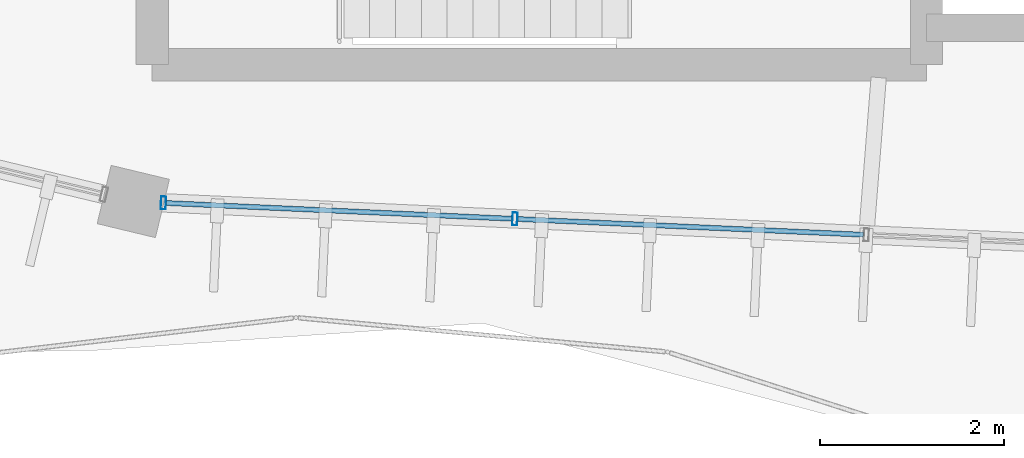
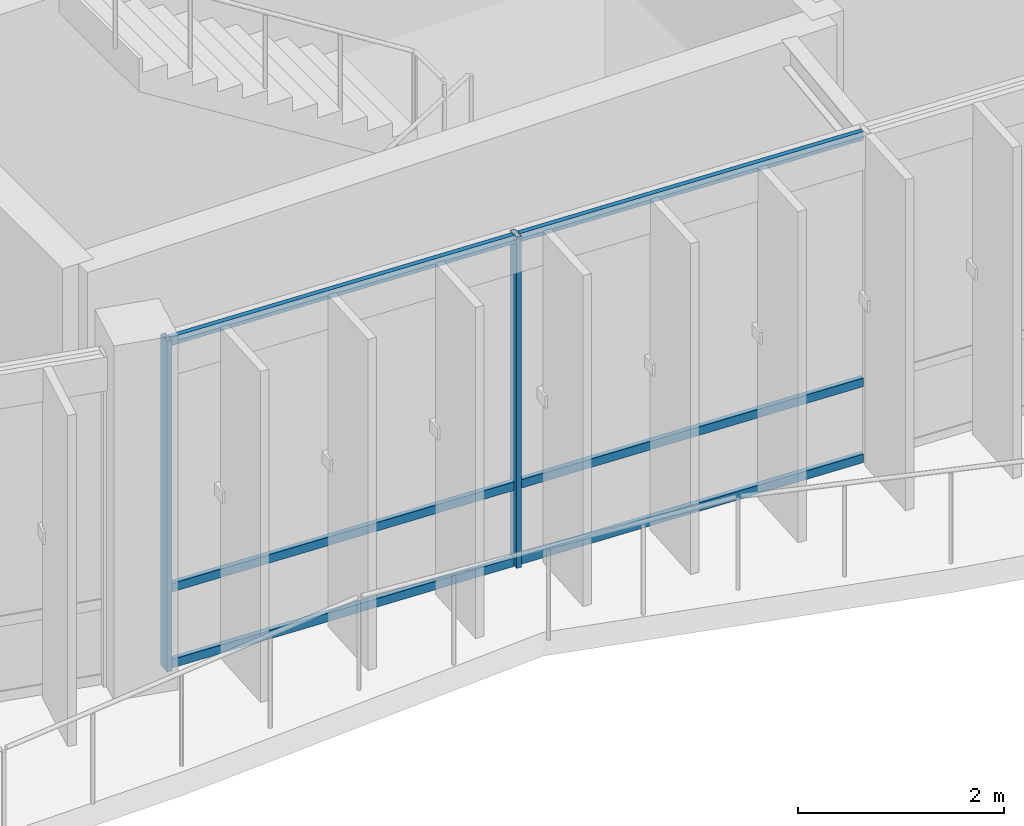
# One storey, part 23 of 114: 8 members, 1 element without a shape of its own.
"""IFC4 building model written with IfcOpenShell, lengths in metres."""

import ifcopenshell
import ifcopenshell.guid

model = None  # the IFC model being written
_history = None  # IfcOwnerHistory: only IFC2X3 demands one
_inside = {}  # id of a spatial element -> (the spatial element, [elements in it])
_under = {}  # id of a project, library or spatial element -> (it, [spatial elements below it])
_declared = {}  # id of a project -> (the project, [libraries it declares])
_typed = {}  # id of a type object -> (the type object, [elements of that type])
_made_of = {}  # id of a material, layer set ... -> (it, [elements and type objects made of it])


def new_model(schema):
    """Start an empty IFC model of exactly this schema.

    Asked for "IFC4X3", IfcOpenShell would pick the latest addendum, in which some entities
    have other attributes; the version numbers below select the first issue.
    IFC2X3 requires an IfcOwnerHistory on every rooted entity: one is made here for all.
    """
    global model, _history
    if schema == "IFC4X3":
        model = ifcopenshell.file(schema_version=(4, 3, 0, 0))
    else:
        model = ifcopenshell.file(schema=schema)
    _inside.clear()
    _under.clear()
    _declared.clear()
    _typed.clear()
    _made_of.clear()
    _history = None
    if model.schema == "IFC2X3":
        org = make("IfcOrganization", Name="unknown")
        user = make(
            "IfcPersonAndOrganization",
            ThePerson=make("IfcPerson", FamilyName="unknown"),
            TheOrganization=org,
        )
        app = make(
            "IfcApplication",
            ApplicationDeveloper=org,
            Version="unknown",
            ApplicationFullName="unknown",
            ApplicationIdentifier="unknown",
        )
        _history = make(
            "IfcOwnerHistory",
            OwningUser=user,
            OwningApplication=app,
            ChangeAction="ADDED",
            CreationDate=0,
        )
    return model


def make(cls, **values):
    """One entity of the class cls with the attributes given. An attribute that is None is left unset."""
    return model.create_entity(
        cls, **{name: value for name, value in values.items() if value is not None}
    )


def rooted(cls, **values):
    """An entity with a GlobalId (a new one), such as an element, a storey or a relation."""
    return make(cls, GlobalId=ifcopenshell.guid.new(), OwnerHistory=_history, **values)


def si_unit(unit_type, name, prefix=None):
    """IfcSIUnit, for example si_unit("LENGTHUNIT", "METRE", prefix="MILLI")."""
    return make("IfcSIUnit", UnitType=unit_type, Prefix=prefix, Name=name)


def assignment(units):
    """IfcUnitAssignment: the units of a project."""
    return None if units is None else make("IfcUnitAssignment", Units=units)


def point(xyz):
    """IfcCartesianPoint."""
    return None if xyz is None else make("IfcCartesianPoint", Coordinates=xyz)


def direction(xyz):
    """IfcDirection."""
    return None if xyz is None else make("IfcDirection", DirectionRatios=xyz)


def frame(location, z_axis=None, x_axis=None):
    """IfcAxis2Placement3D, a coordinate frame: its origin and axes. An axis left out is left unset."""
    return make(
        "IfcAxis2Placement3D",
        Location=point(location),
        Axis=direction(z_axis),
        RefDirection=direction(x_axis),
    )


def frame_2d(location, x_axis=None):
    """IfcAxis2Placement2D, a coordinate frame in the plane: its origin and x axis."""
    return make(
        "IfcAxis2Placement2D", Location=point(location), RefDirection=direction(x_axis)
    )


def origin():
    """The frame at (0, 0, 0) with its axes left unset."""
    return frame((0.0, 0.0, 0.0))


def origin_2d():
    """The frame at (0, 0) in the plane with its x axis left unset."""
    return frame_2d((0.0, 0.0))


def place(relative_to, where):
    """IfcLocalPlacement: puts the frame where relative to a parent placement (None: the world)."""
    return make(
        "IfcLocalPlacement", PlacementRelTo=relative_to, RelativePlacement=where
    )


def context(
    kind, dimensions, precision=None, world=None, true_north=None, identifier=None
):
    """IfcGeometricRepresentationContext, for example the 3D "Model" context."""
    return make(
        "IfcGeometricRepresentationContext",
        ContextIdentifier=identifier,
        ContextType=kind,
        CoordinateSpaceDimension=dimensions,
        Precision=precision,
        WorldCoordinateSystem=world,
        TrueNorth=true_north,
    )


def subcontext(parent, identifier, kind, view, scale=None):
    """IfcGeometricRepresentationSubContext, for example "Body" below "Model"."""
    return make(
        "IfcGeometricRepresentationSubContext",
        ContextIdentifier=identifier,
        ContextType=kind,
        ParentContext=parent,
        TargetScale=scale,
        TargetView=view,
    )


def project(units=None, contexts=None):
    """IfcProject with its units and contexts."""
    return rooted(
        "IfcProject",
        Name="project",
        RepresentationContexts=contexts,
        UnitsInContext=assignment(units),
    )


def spatial(cls, under=None, at=None, **own):
    """A site, building, storey or space (cls), placed at a placement, below another one or the project."""
    s = rooted(cls, ObjectPlacement=at, **own)
    if under is not None:
        _under.setdefault(under.id(), (under, []))[1].append(s)
    return s


def profile(cls, at=None, kind="AREA", **sizes):
    """A parametric profile (cls). Its sizes go by their IFC names, for example OverallWidth=200.0."""
    return make(cls, ProfileType=kind, Position=at, **sizes)


def hollow_rectangle(**sizes):
    """IfcRectangleHollowProfileDef."""
    return profile("IfcRectangleHollowProfileDef", **sizes)


def extrude(swept, where, along, depth):
    """IfcExtrudedAreaSolid: the profile swept, set in the frame where, extruded along a direction by depth."""
    return make(
        "IfcExtrudedAreaSolid",
        SweptArea=swept,
        Position=where,
        ExtrudedDirection=direction(along),
        Depth=depth,
    )


def shape(context_of_items, identifier, shape_type, items):
    """IfcShapeRepresentation: the items that make up one representation, for example the "Body"."""
    return make(
        "IfcShapeRepresentation",
        ContextOfItems=context_of_items,
        RepresentationIdentifier=identifier,
        RepresentationType=shape_type,
        Items=items,
    )


def material(Name=None, Category=None):
    """IfcMaterial."""
    return make("IfcMaterial", Name=Name, Category=Category)


def material_profile(
    of_material, cross_section, Name=None, Category=None, Priority=None
):
    """IfcMaterialProfile: a cross section and its material."""
    return make(
        "IfcMaterialProfile",
        Name=Name,
        Material=of_material,
        Profile=cross_section,
        Priority=Priority,
        Category=Category,
    )


def profile_set(profiles, Name=None, composite=None):
    """IfcMaterialProfileSet."""
    return make(
        "IfcMaterialProfileSet",
        Name=Name,
        MaterialProfiles=profiles,
        CompositeProfile=composite,
    )


def made_of(thing, what):
    """Note that an element or type object is made of a material, layer set ...; save() writes the relation."""
    if what is not None:
        _made_of.setdefault(what.id(), (what, []))[1].append(thing)
    return thing


def type_object(cls, material=None, **own):
    """A type object (cls), such as IfcWallType, which elements share."""
    return made_of(rooted(cls, **own), material)


def element(
    cls,
    number,
    at=None,
    inside=None,
    cuts=None,
    type_object=None,
    material=None,
    context=None,
    identifier="Body",
    shape_type=None,
    held_by="IfcProductDefinitionShape",
    body=None,
    shapes=None,
    **own,
):
    """One element of the class cls, such as IfcWall. Its Tag is "e" and its number.

    at: its placement. inside: the storey or other place that contains it. cuts: it is an
    opening in that element (IfcRelVoidsElement). A single representation is given by context,
    identifier, shape_type and body (its items); several are given by shapes. held_by: the class
    of the entity that holds the representations. save() writes the other relations.
    """
    e = rooted(cls, Tag="e%d" % number, ObjectPlacement=at, **own)
    if body is not None:
        shapes = [shape(context, identifier, shape_type, body)]
    if shapes is not None:
        e.Representation = make(held_by, Representations=shapes)
    if inside is not None:
        _inside.setdefault(inside.id(), (inside, []))[1].append(e)
    if cuts is not None:
        rooted(
            "IfcRelVoidsElement", RelatingBuildingElement=cuts, RelatedOpeningElement=e
        )
    if type_object is not None:
        _typed.setdefault(type_object.id(), (type_object, []))[1].append(e)
    return made_of(e, material)


def aggregate(whole, parts):
    """IfcRelAggregates: a whole, such as a stair, and the parts it consists of."""
    return rooted("IfcRelAggregates", RelatingObject=whole, RelatedObjects=parts)


def save(model, path):
    """Write the relations noted so far, then the file.

    IfcRelAggregates (storeys below a building ...), IfcRelContainedInSpatialStructure (elements
    in a storey), IfcRelDefinesByType, IfcRelAssociatesMaterial and IfcRelDeclares: one each for
    every whole, place, type object, material and project.
    """
    for whole, parts in _under.values():
        aggregate(whole, parts)
    for where, things in _inside.values():
        rooted(
            "IfcRelContainedInSpatialStructure",
            RelatedElements=things,
            RelatingStructure=where,
        )
    for kind, things in _typed.values():
        rooted("IfcRelDefinesByType", RelatedObjects=things, RelatingType=kind)
    for what, things in _made_of.values():
        rooted("IfcRelAssociatesMaterial", RelatedObjects=things, RelatingMaterial=what)
    for by, libraries in _declared.values():
        rooted("IfcRelDeclares", RelatingContext=by, RelatedDefinitions=libraries)
    model.write(path)


model = new_model("IFC4")

# Units and contexts
model_context = context("Model", 3, precision=1e-05, world=origin(), true_north=direction((0.0, 1.0)))
body_context = subcontext(model_context, "Body", "Model", "MODEL_VIEW")
ifc_project = project(units=[si_unit("LENGTHUNIT", "METRE"), si_unit("AREAUNIT", "SQUARE_METRE"), si_unit("VOLUMEUNIT", "CUBIC_METRE"), si_unit("PLANEANGLEUNIT", "RADIAN"), si_unit("MASSUNIT", "GRAM", prefix="KILO"), si_unit("THERMODYNAMICTEMPERATUREUNIT", "KELVIN"), si_unit("POWERUNIT", "WATT")], contexts=[model_context])

# Site, building, storey
site_placement = place(None, origin())
site = spatial("IfcSite", under=ifc_project, at=site_placement, CompositionType="ELEMENT")
building_placement = place(site_placement, origin())
building = spatial("IfcBuilding", under=site, at=building_placement, Name="Darbajah Civic Hall", CompositionType="ELEMENT")
storey_placement = place(building_placement, frame((0.0, 0.0, 13.800048828125)))
storey = spatial("IfcBuildingStorey", under=building, at=storey_placement, Name="L03", CompositionType="ELEMENT", Elevation=13.800048828125)

# Curtain wall, members
ifc_material_1 = material(Name="Anodised Bronze Aluminium and Low-E Glazing", Category="aluminium")
curtain_wall_type = type_object("IfcCurtainWallType", Name="Unitised Curtain Wall CW-61 15300x3900", PredefinedType="USERDEFINED", material=ifc_material_1)
curtain_wall_placement = place(storey_placement, origin())
curtain_wall = element("IfcCurtainWall", 1, at=curtain_wall_placement, inside=storey, type_object=curtain_wall_type, Name="L03 unitised curtain wall CW-V1O-L03-14", ObjectType="UNITISED CURTAIN WALL", PredefinedType="USERDEFINED")
ifc_material_2 = material(Name="Anodised Bronze Aluminium", Category="aluminium")
ifc_material_profile_1 = material_profile(ifc_material_2, hollow_rectangle(XDim=0.054931640625, YDim=0.139892578125, WallThickness=0.003173828125, at=origin_2d()), Name="ALU MULLION 55x140")
ifc_profile_set_1 = profile_set([ifc_material_profile_1], Name="Anodised Bronze Aluminium")
member_type_1 = type_object("IfcMemberType", Name="ALU MULLION 55x140", PredefinedType="MULLION", material=ifc_profile_set_1)
member_1_placement = place(storey_placement, frame((77.52099609375, 61.10009765625, 0.0), z_axis=(0.0, 0.0, 1.0), x_axis=(0.998962637241, -0.045537340693, 0.0)))
member_1 = element("IfcMember", 2, at=member_1_placement, type_object=member_type_1, Name="CW-V1O-L03-14 mullion 1", PredefinedType="MULLION", context=body_context, shape_type="SweptSolid", body=[
    extrude(hollow_rectangle(XDim=0.054931640625, YDim=0.139892578125, WallThickness=0.003173828125, at=origin_2d()), origin(), (0.0, 0.0, 1.0), 3.919921875),
])
member_2_placement = place(storey_placement, frame((81.33447265625, 60.926513671875, 0.0), z_axis=(0.0, 0.0, 1.0), x_axis=(0.998962637241, -0.045537340693, 0.0)))
member_2 = element("IfcMember", 3, at=member_2_placement, type_object=member_type_1, Name="CW-V1O-L03-14 mullion 2", PredefinedType="MULLION", context=body_context, shape_type="SweptSolid", body=[
    extrude(hollow_rectangle(XDim=0.054931640625, YDim=0.139892578125, WallThickness=0.003173828125, at=origin_2d()), origin(), (0.0, 0.0, 1.0), 3.919921875),
])
ifc_material_profile_2 = material_profile(ifc_material_2, hollow_rectangle(XDim=0.054931640625, YDim=0.10009765625, WallThickness=0.0029296875, at=origin_2d()), Name="ALU TRANSOM 55x100")
ifc_profile_set_2 = profile_set([ifc_material_profile_2], Name="Anodised Bronze Aluminium")
member_type_2 = type_object("IfcMemberType", Name="ALU TRANSOM 55x100", PredefinedType="USERDEFINED", material=ifc_profile_set_2)
member_3_placement = place(storey_placement, frame((77.553466796875, 61.0986328125, 0.050048828125), z_axis=(0.998965318125, -0.045478491427, 0.0), x_axis=(0.045478491427, 0.998965318125, 0.0)))
member_3 = element("IfcMember", 4, at=member_3_placement, type_object=member_type_2, Name="CW-V1O-L03-14 transom 1.1", ObjectType="TRANSOM", PredefinedType="USERDEFINED", context=body_context, shape_type="SweptSolid", body=[
    extrude(hollow_rectangle(XDim=0.054931640625, YDim=0.10009765625, WallThickness=0.0029296875, at=origin_2d()), origin(), (0.0, 0.0, 1.0), 3.75244140625),
])
member_4_placement = place(storey_placement, frame((77.553466796875, 61.0986328125, 0.949951171875), z_axis=(0.998965318125, -0.045478491427, 0.0), x_axis=(0.045478491427, 0.998965318125, 0.0)))
member_4 = element("IfcMember", 5, at=member_4_placement, type_object=member_type_2, Name="CW-V1O-L03-14 transom 1.2", ObjectType="TRANSOM", PredefinedType="USERDEFINED", context=body_context, shape_type="SweptSolid", body=[
    extrude(hollow_rectangle(XDim=0.054931640625, YDim=0.10009765625, WallThickness=0.0029296875, at=origin_2d()), origin(), (0.0, 0.0, 1.0), 3.75244140625),
])
member_5_placement = place(storey_placement, frame((77.553466796875, 61.0986328125, 3.869873046875), z_axis=(0.998965318125, -0.045478491427, 0.0), x_axis=(0.045478491427, 0.998965318125, 0.0)))
member_5 = element("IfcMember", 6, at=member_5_placement, type_object=member_type_2, Name="CW-V1O-L03-14 transom 1.3", ObjectType="TRANSOM", PredefinedType="USERDEFINED", context=body_context, shape_type="SweptSolid", body=[
    extrude(hollow_rectangle(XDim=0.054931640625, YDim=0.10009765625, WallThickness=0.0029296875, at=origin_2d()), origin(), (0.0, 0.0, 1.0), 3.75244140625),
])
member_6_placement = place(storey_placement, frame((81.366943359375, 60.925048828125, 0.050048828125), z_axis=(0.998965318125, -0.045478491427, 0.0), x_axis=(0.045478491427, 0.998965318125, 0.0)))
member_6 = element("IfcMember", 7, at=member_6_placement, type_object=member_type_2, Name="CW-V1O-L03-14 transom 2.1", ObjectType="TRANSOM", PredefinedType="USERDEFINED", context=body_context, shape_type="SweptSolid", body=[
    extrude(hollow_rectangle(XDim=0.054931640625, YDim=0.10009765625, WallThickness=0.0029296875, at=origin_2d()), origin(), (0.0, 0.0, 1.0), 3.75244140625),
])
member_7_placement = place(storey_placement, frame((81.366943359375, 60.925048828125, 0.949951171875), z_axis=(0.998965318125, -0.045478491427, 0.0), x_axis=(0.045478491427, 0.998965318125, 0.0)))
member_7 = element("IfcMember", 8, at=member_7_placement, type_object=member_type_2, Name="CW-V1O-L03-14 transom 2.2", ObjectType="TRANSOM", PredefinedType="USERDEFINED", context=body_context, shape_type="SweptSolid", body=[
    extrude(hollow_rectangle(XDim=0.054931640625, YDim=0.10009765625, WallThickness=0.0029296875, at=origin_2d()), origin(), (0.0, 0.0, 1.0), 3.75244140625),
])
member_8_placement = place(storey_placement, frame((81.366943359375, 60.925048828125, 3.869873046875), z_axis=(0.998965318125, -0.045478491427, 0.0), x_axis=(0.045478491427, 0.998965318125, 0.0)))
member_8 = element("IfcMember", 9, at=member_8_placement, type_object=member_type_2, Name="CW-V1O-L03-14 transom 2.3", ObjectType="TRANSOM", PredefinedType="USERDEFINED", context=body_context, shape_type="SweptSolid", body=[
    extrude(hollow_rectangle(XDim=0.054931640625, YDim=0.10009765625, WallThickness=0.0029296875, at=origin_2d()), origin(), (0.0, 0.0, 1.0), 3.75244140625),
])
aggregate(curtain_wall, [member_1, member_2, member_3, member_4, member_5, member_6, member_7, member_8])

save(model, "model.ifc")
